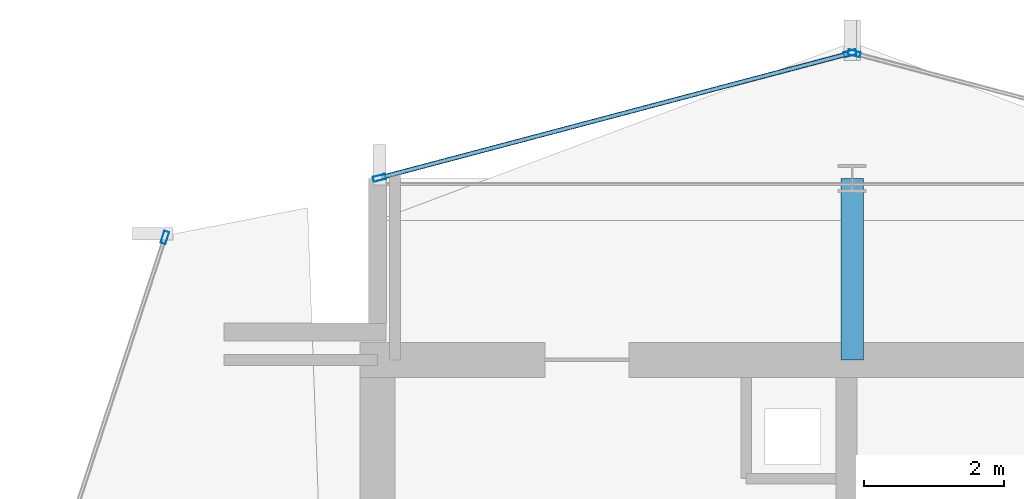
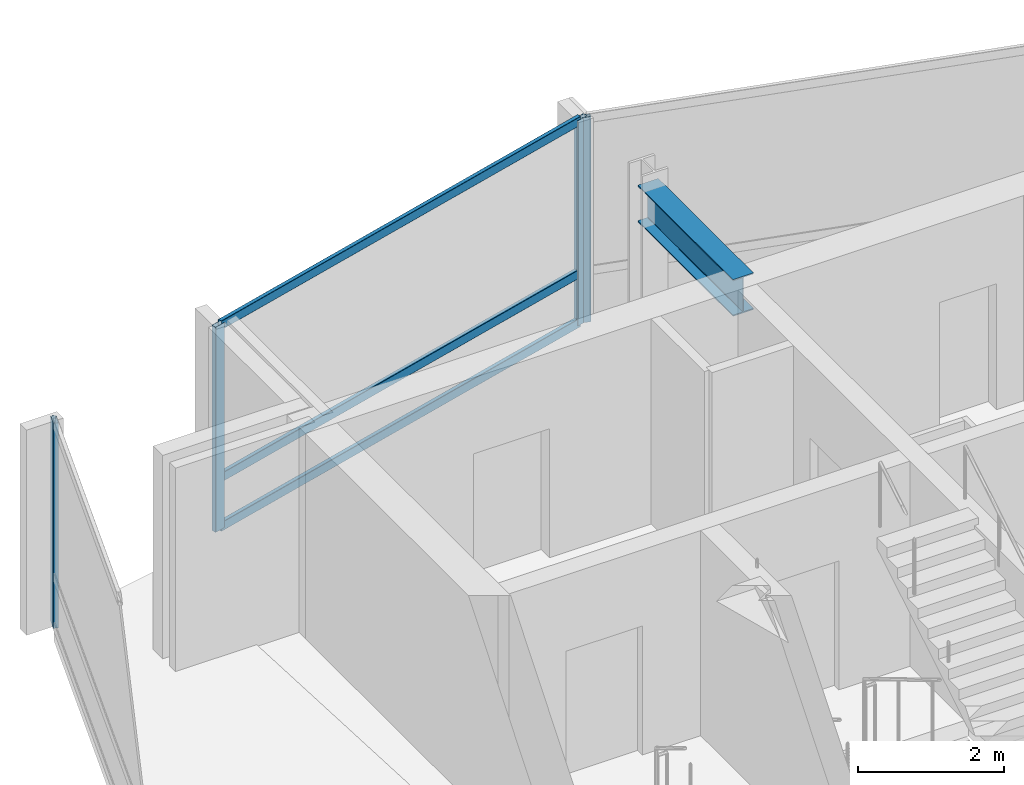
# One storey, part 16 of 28: 7 members, 1 beam, 3 elements without a shape of their own.
"""IFC4 building model written with IfcOpenShell, lengths in metres."""

from ifc_helpers import new_model, si_unit, direction, frame, origin, origin_2d, place, context, subcontext, project, spatial, hollow_rectangle, i_section, extrude, material, layer, layer_set, material_profile, profile_set, type_object, element, aggregate, save


model = new_model("IFC4")

# Units and contexts
model_context = context("Model", 3, precision=1e-05, world=origin(), true_north=direction((0.0, 1.0)))
body_context = subcontext(model_context, "Body", "Model", "MODEL_VIEW")
ifc_project = project(units=[si_unit("LENGTHUNIT", "METRE"), si_unit("AREAUNIT", "SQUARE_METRE"), si_unit("VOLUMEUNIT", "CUBIC_METRE"), si_unit("PLANEANGLEUNIT", "RADIAN"), si_unit("MASSUNIT", "GRAM", prefix="KILO")], contexts=[model_context])

# Site, building, storey
site_placement = place(None, origin())
site = spatial("IfcSite", under=ifc_project, at=site_placement, CompositionType="ELEMENT")
building_placement = place(site_placement, origin())
building = spatial("IfcBuilding", under=site, at=building_placement, Name="Solvaryn Broadcast Tower", CompositionType="ELEMENT")
storey_placement = place(building_placement, frame((0.0, 0.0, 217.300048828125)))
storey = spatial("IfcBuildingStorey", under=building, at=storey_placement, Name="L54", CompositionType="ELEMENT", Elevation=217.300048828125)

# Beam
ifc_material_1 = material(Name="Steel ASTM A992 Grade 50", Category="steel")
ifc_material_profile_1 = material_profile(ifc_material_1, i_section(OverallWidth=0.323974609375, OverallDepth=0.611083984375, WebThickness=0.0126953125, FlangeThickness=0.01904296875, FilletRadius=0.014892578125, at=origin_2d()))
ifc_profile_set_1 = profile_set([ifc_material_profile_1], Name="Steel ASTM A992 Grade 50")
beam_type = type_object("IfcBeamType", Name="BM-B1-W24X104", PredefinedType="BEAM", material=ifc_profile_set_1)
beam_placement = place(storey_placement, frame((18.0, 42.39990234375, 3.114501953125), z_axis=(0.0, 1.0, 0.0), x_axis=(-1.0, 0.0, 0.0)))
element("IfcBeam", 1, at=beam_placement, inside=storey, type_object=beam_type, Name="L54 Core Tie Beam CTW3", PredefinedType="BEAM", context=body_context, shape_type="SweptSolid", body=[
    extrude(i_section(OverallWidth=0.323974609375, OverallDepth=0.611083984375, WebThickness=0.0126953125, FlangeThickness=0.01904296875, FilletRadius=0.014892578125, at=origin_2d()), origin(), (0.0, 0.0, 1.0), 2.60009765625),
])

# Curtain wall, member
ifc_material_2 = material(Name="Aluminium and Terracotta Unitised Curtain Wall", Category="masonry")
ifc_layer = layer(ifc_material_2, 0.199951171875)
ifc_layer_set = layer_set([ifc_layer], Name="CW-SYS2-LOWMID")
curtain_wall_type = type_object("IfcCurtainWallType", Name="CW-SYS2-LOWMID", PredefinedType="NOTDEFINED", material=ifc_layer_set)
curtain_wall_1_placement = place(storey_placement, origin())
curtain_wall_1 = element("IfcCurtainWall", 2, at=curtain_wall_1_placement, inside=storey, type_object=curtain_wall_type, Name="L54 Curtain Wall DR1", PredefinedType="NOTDEFINED")
ifc_material_3 = material(Name="Anodised Aluminium 6063-T6", Category="aluminium")
ifc_material_profile_2 = material_profile(ifc_material_3, hollow_rectangle(XDim=0.074951171875, YDim=0.179931640625, WallThickness=0.00390625, InnerFilletRadius=0.00390625, OuterFilletRadius=0.008056640625, at=origin_2d()))
ifc_profile_set_2 = profile_set([ifc_material_profile_2], Name="Anodised Aluminium 6063-T6")
member_type_1 = type_object("IfcMemberType", Name="CW-MUL-180", PredefinedType="MULLION", material=ifc_profile_set_2)
member_1_placement = place(storey_placement, frame((8.153564453125, 44.153564453125, 0.0), z_axis=(0.0, 0.0, 1.0), x_axis=(0.950226902099, -0.311558717623, 0.0)))
member_1 = element("IfcMember", 3, at=member_1_placement, type_object=member_type_1, Name="CWS2 mullion 1", PredefinedType="MULLION", context=body_context, shape_type="SweptSolid", body=[
    extrude(hollow_rectangle(XDim=0.074951171875, YDim=0.179931640625, WallThickness=0.00390625, InnerFilletRadius=0.00390625, OuterFilletRadius=0.008056640625, at=origin_2d()), origin(), (0.0, 0.0, 1.0), 3.419921875),
])
aggregate(curtain_wall_1, [member_1])

curtain_wall_2_placement = place(storey_placement, origin())
curtain_wall_2 = element("IfcCurtainWall", 4, at=curtain_wall_2_placement, inside=storey, type_object=curtain_wall_type, Name="L54 Curtain Wall NT1", PredefinedType="NOTDEFINED")
member_2_placement = place(storey_placement, frame((18.029052734375, 46.792236328125, 0.0), z_axis=(0.0, 0.0, 1.0), x_axis=(-0.25589256031, -0.966705227863, 0.0)))
member_2 = element("IfcMember", 5, at=member_2_placement, type_object=member_type_1, Name="CWS2 mullion 2", PredefinedType="MULLION", context=body_context, shape_type="SweptSolid", body=[
    extrude(hollow_rectangle(XDim=0.074951171875, YDim=0.179931640625, WallThickness=0.00390625, InnerFilletRadius=0.00390625, OuterFilletRadius=0.008056640625, at=origin_2d()), origin(), (0.0, 0.0, 1.0), 3.419921875),
])
aggregate(curtain_wall_2, [member_2])

# Curtain wall, members
curtain_wall_3_placement = place(storey_placement, origin())
curtain_wall_3 = element("IfcCurtainWall", 6, at=curtain_wall_3_placement, inside=storey, type_object=curtain_wall_type, Name="L54 Curtain Wall NT2", PredefinedType="NOTDEFINED")
member_3_placement = place(storey_placement, frame((17.970947265625, 46.792236328125, 0.0), z_axis=(0.0, 0.0, 1.0), x_axis=(0.25589256031, -0.966705227863, 0.0)))
member_3 = element("IfcMember", 7, at=member_3_placement, type_object=member_type_1, Name="CWS2 mullion 1", PredefinedType="MULLION", context=body_context, shape_type="SweptSolid", body=[
    extrude(hollow_rectangle(XDim=0.074951171875, YDim=0.179931640625, WallThickness=0.00390625, InnerFilletRadius=0.00390625, OuterFilletRadius=0.008056640625, at=origin_2d()), origin(), (0.0, 0.0, 1.0), 3.419921875),
])
member_4_placement = place(storey_placement, frame((11.22900390625, 45.007568359375, 0.0), z_axis=(0.0, 0.0, 1.0), x_axis=(0.25589256031, -0.966705227863, 0.0)))
member_4 = element("IfcMember", 8, at=member_4_placement, type_object=member_type_1, Name="CWS2 mullion 2", PredefinedType="MULLION", context=body_context, shape_type="SweptSolid", body=[
    extrude(hollow_rectangle(XDim=0.074951171875, YDim=0.179931640625, WallThickness=0.00390625, InnerFilletRadius=0.00390625, OuterFilletRadius=0.008056640625, at=origin_2d()), origin(), (0.0, 0.0, 1.0), 3.419921875),
])
ifc_material_4 = material(Name="Anodised Aluminium 6063-T6", Category="aluminium")
ifc_material_profile_3 = material_profile(ifc_material_4, hollow_rectangle(XDim=0.06494140625, YDim=0.14990234375, WallThickness=0.00390625, InnerFilletRadius=0.00390625, OuterFilletRadius=0.008056640625, at=origin_2d()))
ifc_profile_set_3 = profile_set([ifc_material_profile_3], Name="Anodised Aluminium 6063-T6")
member_type_2 = type_object("IfcMemberType", Name="CW-TRN-150", PredefinedType="USERDEFINED", material=ifc_profile_set_3)
member_5_placement = place(storey_placement, frame((17.94189453125, 46.78466796875, 0.030029296875), z_axis=(-0.966703943301, -0.255897413051, 0.0), x_axis=(0.255897413051, -0.966703943301, 0.0)))
member_5 = element("IfcMember", 9, at=member_5_placement, type_object=member_type_2, Name="CWS2 transom 1.1", ObjectType="TRANSOM", PredefinedType="USERDEFINED", context=body_context, shape_type="SweptSolid", body=[
    extrude(hollow_rectangle(XDim=0.06494140625, YDim=0.14990234375, WallThickness=0.00390625, InnerFilletRadius=0.00390625, OuterFilletRadius=0.008056640625, at=origin_2d()), origin(), (0.0, 0.0, 1.0), 6.9140625),
])
member_6_placement = place(storey_placement, frame((17.94189453125, 46.78466796875, 0.849853515625), z_axis=(-0.966703943301, -0.255897413051, 0.0), x_axis=(0.255897413051, -0.966703943301, 0.0)))
member_6 = element("IfcMember", 10, at=member_6_placement, type_object=member_type_2, Name="CWS2 transom 1.2", ObjectType="TRANSOM", PredefinedType="USERDEFINED", context=body_context, shape_type="SweptSolid", body=[
    extrude(hollow_rectangle(XDim=0.06494140625, YDim=0.14990234375, WallThickness=0.00390625, InnerFilletRadius=0.00390625, OuterFilletRadius=0.008056640625, at=origin_2d()), origin(), (0.0, 0.0, 1.0), 6.9140625),
])
member_7_placement = place(storey_placement, frame((17.94189453125, 46.78466796875, 3.389892578125), z_axis=(-0.966703943301, -0.255897413051, 0.0), x_axis=(0.255897413051, -0.966703943301, 0.0)))
member_7 = element("IfcMember", 11, at=member_7_placement, type_object=member_type_2, Name="CWS2 transom 1.3", ObjectType="TRANSOM", PredefinedType="USERDEFINED", context=body_context, shape_type="SweptSolid", body=[
    extrude(hollow_rectangle(XDim=0.06494140625, YDim=0.14990234375, WallThickness=0.00390625, InnerFilletRadius=0.00390625, OuterFilletRadius=0.008056640625, at=origin_2d()), origin(), (0.0, 0.0, 1.0), 6.9140625),
])
aggregate(curtain_wall_3, [member_3, member_4, member_5, member_6, member_7])

save(model, "model.ifc")
